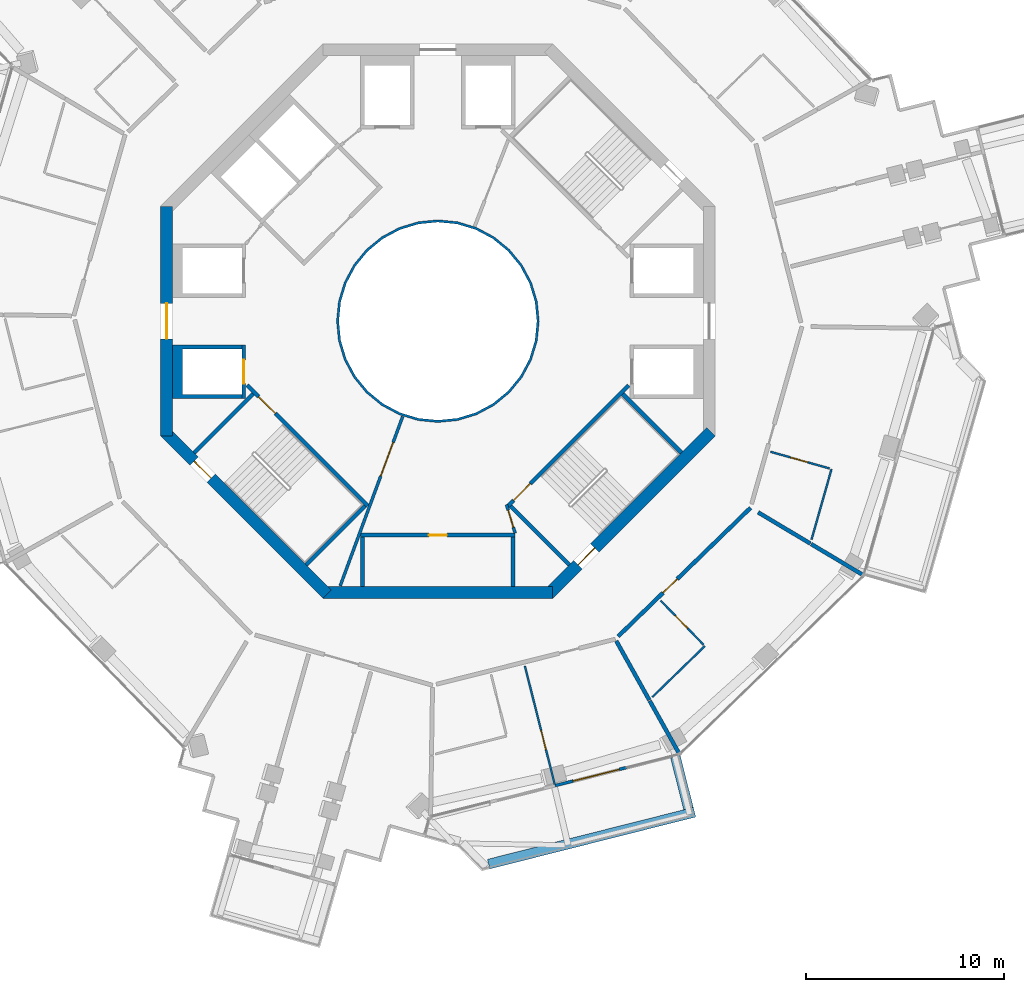
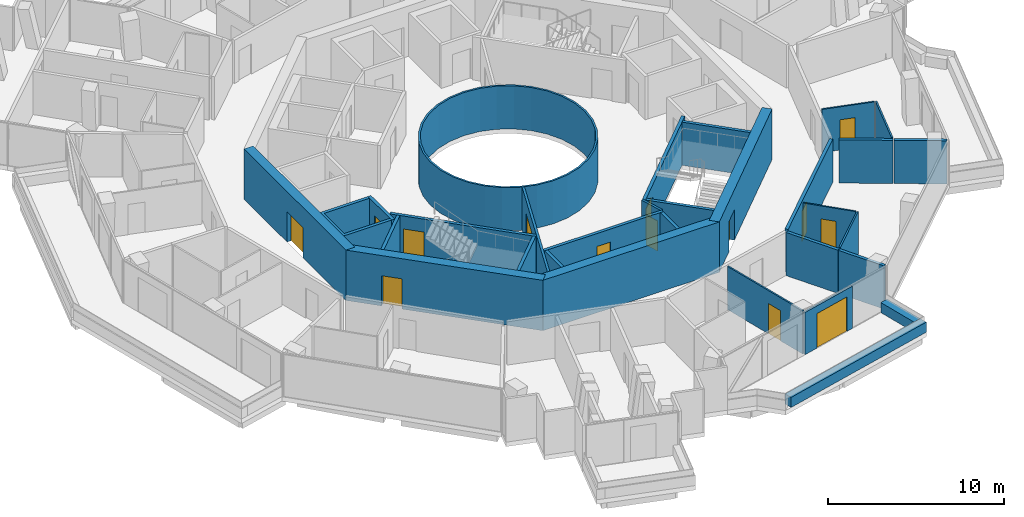
# One storey, part 17 of 24: 31 walls, 14 doors, 14 openings.
"""IFC4 building model written with IfcOpenShell, lengths in metres."""

from ifc_helpers import new_model, si_unit, direction, frame, frame_2d, origin, place, context, subcontext, project, spatial, polyline, rectangle, outline, extrude, material, layer, layer_set, type_object, element, fill, save


model = new_model("IFC4")

# Units and contexts
model_context = context("Model", 3, precision=1e-05, world=origin(), true_north=direction((0.0, 1.0)))
body_context = subcontext(model_context, "Body", "Model", "MODEL_VIEW")
ifc_project = project(units=[si_unit("LENGTHUNIT", "METRE"), si_unit("AREAUNIT", "SQUARE_METRE"), si_unit("VOLUMEUNIT", "CUBIC_METRE"), si_unit("PLANEANGLEUNIT", "RADIAN"), si_unit("MASSUNIT", "GRAM", prefix="KILO")], contexts=[model_context])

# Site, building, storey
site_placement = place(None, origin())
site = spatial("IfcSite", under=ifc_project, at=site_placement, CompositionType="ELEMENT")
building_placement = place(site_placement, origin())
building = spatial("IfcBuilding", under=site, at=building_placement, Name="Verdalira Terraces Hotel", CompositionType="ELEMENT")
storey_placement = place(building_placement, frame((0.0, 0.0, 212.5)))
storey = spatial("IfcBuildingStorey", under=building, at=storey_placement, Name="L52", CompositionType="ELEMENT", Elevation=212.5)

# Walls
ifc_material_1 = material(Name="Fire-resisting glass EI 180", Category="glass")
ifc_layer_1 = layer(ifc_material_1, 0.1201171875)
ifc_layer_set_1 = layer_set([ifc_layer_1], Name="Atrium fire screen 120 mm")
wall_type_1 = type_object("IfcWallType", Name="Atrium fire screen 120 mm", PredefinedType="SOLIDWALL", material=ifc_layer_set_1)
wall_1_placement = place(storey_placement, origin())
element("IfcWall", 1, at=wall_1_placement, inside=storey, type_object=wall_type_1, Name="Atrium fire screen", PredefinedType="SOLIDWALL", context=body_context, shape_type="SweptSolid", body=[
    extrude(outline(polyline([(5.021484, -0.998779), (4.730225, -1.959229), (4.25708, -2.844482), (3.620361, -3.620361), (2.844482, -4.25708), (1.959229, -4.730225), (0.998779, -5.021484), (0.0, -5.120117), (-0.998779, -5.021484), (-1.959229, -4.730225), (-2.844482, -4.25708), (-3.620361, -3.620361), (-4.25708, -2.844482), (-4.730225, -1.959229), (-5.021484, -0.998779), (-5.120117, 0.0), (-5.021484, 0.998779), (-4.730225, 1.959229), (-4.25708, 2.844482), (-3.620361, 3.620361), (-2.844482, 4.25708), (-1.959229, 4.730225), (-0.998779, 5.021484), (0.0, 5.120117), (0.998779, 5.021484), (1.959229, 4.730225), (2.844482, 4.25708), (3.620361, 3.620361), (4.25708, 2.844482), (4.730225, 1.959229), (5.021484, 0.998779), (5.120117, 0.0), (5.021484, -0.998779)]), holes=[polyline([(4.903809, 0.975586), (4.619385, 1.91333), (4.157227, 2.777832), (3.5354, 3.5354), (2.777832, 4.157227), (1.91333, 4.619385), (0.975586, 4.903809), (0.0, 5.0), (-0.975586, 4.903809), (-1.91333, 4.619385), (-2.777832, 4.157227), (-3.5354, 3.5354), (-4.157227, 2.777832), (-4.619385, 1.91333), (-4.903809, 0.975586), (-5.0, 0.0), (-4.903809, -0.975586), (-4.619385, -1.91333), (-4.157227, -2.777832), (-3.5354, -3.5354), (-2.777832, -4.157227), (-1.91333, -4.619385), (-0.975586, -4.903809), (0.0, -5.0), (0.975586, -4.903809), (1.91333, -4.619385), (2.777832, -4.157227), (3.5354, -3.5354), (4.157227, -2.777832), (4.619385, -1.91333), (4.903809, -0.975586), (5.0, 0.0), (4.903809, 0.975586)])]), origin(), (0.0, 0.0, 1.0), 3.0),
])
ifc_material_2 = material(Name="Concrete C40", Category="concrete")
ifc_layer_2 = layer(ifc_material_2, 0.5)
ifc_layer_set_2 = layer_set([ifc_layer_2], Name="Balcony planter trough with tree")
wall_type_2 = type_object("IfcWallType", Name="Balcony planter trough with tree", PredefinedType="SOLIDWALL", material=ifc_layer_set_2)
wall_2_placement = place(storey_placement, frame((2.564697, -27.413818, 0.0), z_axis=(0.0, 0.0, 1.0), x_axis=(0.969616404, 0.244630395, 0.0)))
element("IfcWall", 2, at=wall_2_placement, inside=storey, type_object=wall_type_2, Name="Balcony planter", PredefinedType="SOLIDWALL", context=body_context, shape_type="SweptSolid", body=[
    extrude(rectangle(XDim=10.719482, YDim=0.5, at=frame_2d((5.359863, 0.0))), origin(), (0.0, 0.0, 1.0), 0.699951),
])
wall_3_placement = place(storey_placement, frame((12.655029, -24.610352, 0.0), z_axis=(0.0, 0.0, 1.0), x_axis=(-0.244684701, 0.969602701, 0.0)))
element("IfcWall", 3, at=wall_3_placement, inside=storey, type_object=wall_type_2, Name="Balcony planter", PredefinedType="SOLIDWALL", context=body_context, shape_type="SweptSolid", body=[
    extrude(rectangle(XDim=2.698975, YDim=0.5, at=frame_2d((1.349609, 0.0))), origin(), (0.0, 0.0, 1.0), 0.699951),
])

# Wall, opening, door
ifc_material_3 = material(Name="Moisture-resistant gypsum board partition")
ifc_layer_3 = layer(ifc_material_3, 0.10009765625)
ifc_layer_set_3 = layer_set([ifc_layer_3], Name="Bathroom partition 100 mm")
wall_type_3 = type_object("IfcWallType", Name="Bathroom partition 100 mm", PredefinedType="PARTITIONING", material=ifc_layer_set_3)
wall_4_placement = place(storey_placement, frame((5.897705, -23.375732, 0.0), z_axis=(0.0, 0.0, 1.0), x_axis=(-0.244618035, 0.969619522, 0.0)))
wall_4 = element("IfcWall", 4, at=wall_4_placement, inside=storey, type_object=wall_type_3, Name="Bathroom partition", PredefinedType="PARTITIONING", context=body_context, shape_type="SweptSolid", body=[
    extrude(rectangle(XDim=6.149902, YDim=0.100098, at=frame_2d((3.074951, 0.0))), origin(), (0.0, 0.0, 1.0), 3.0),
])
opening_1_placement = place(wall_4_placement, frame((1.800049, 0.0, 0.0)))
opening_1 = element("IfcOpeningElement", 5, at=opening_1_placement, cuts=wall_4, Name="Opening L52-117", PredefinedType="OPENING", context=body_context, shape_type="SweptSolid", body=[
    extrude(rectangle(XDim=1.0, YDim=2.100098, at=frame_2d((0.5, 1.050049))), frame((0.0, 0.060059, 0.0), z_axis=(0.0, -1.0, 0.0), x_axis=(1.0, 0.0, 0.0)), (0.0, 0.0, 1.0), 0.120117),
])
ifc_material_4 = material(Name="Timber door", Category="wood")
door_type_1 = type_object("IfcDoorType", Name="Suite internal door 1000 x 2100", OperationType="NOTDEFINED", PredefinedType="DOOR", material=ifc_material_4)
door_1_placement = place(opening_1_placement, origin())
door_1 = element("IfcDoor", 6, at=door_1_placement, inside=storey, type_object=door_type_1, Name="Suite internal door 5207", OperationType="SINGLE_SWING_LEFT", OverallHeight=2.10009765625, OverallWidth=1.0, PredefinedType="DOOR", context=body_context, shape_type="SweptSolid", body=[
    extrude(rectangle(XDim=1.0, YDim=2.100098, at=frame_2d((0.5, 1.050049))), frame((0.0, 0.024902, 0.0), z_axis=(0.0, -1.0, 0.0), x_axis=(1.0, 0.0, 0.0)), (0.0, 0.0, 1.0), 0.050049),
])
fill(opening_1, door_1)

# Wall
wall_5_placement = place(storey_placement, frame((13.47876, -16.403809, 0.0), z_axis=(0.0, 0.0, 1.0), x_axis=(-0.71737914, -0.696682976, 0.0)))
element("IfcWall", 7, at=wall_5_placement, inside=storey, type_object=wall_type_3, Name="Bathroom partition", PredefinedType="PARTITIONING", context=body_context, shape_type="SweptSolid", body=[
    extrude(rectangle(XDim=3.704102, YDim=0.100098, at=frame_2d((1.852051, 0.0))), origin(), (0.0, 0.0, 1.0), 3.0),
])

# Wall, opening, door
wall_6_placement = place(storey_placement, frame((13.40918, -16.332275, 0.0), z_axis=(0.0, 0.0, 1.0), x_axis=(-0.696635178, 0.717425556, 0.0)))
wall_6 = element("IfcWall", 8, at=wall_6_placement, inside=storey, type_object=wall_type_3, Name="Bathroom partition", PredefinedType="PARTITIONING", context=body_context, shape_type="SweptSolid", body=[
    extrude(rectangle(XDim=3.100098, YDim=0.100098, at=frame_2d((1.550049, 0.0))), origin(), (0.0, 0.0, 1.0), 3.0),
])
opening_2_placement = place(wall_6_placement, frame((1.149902, 0.0, 0.0)))
opening_2 = element("IfcOpeningElement", 9, at=opening_2_placement, cuts=wall_6, Name="Opening L52-120", PredefinedType="OPENING", context=body_context, shape_type="SweptSolid", body=[
    extrude(rectangle(XDim=0.899902, YDim=2.100098, at=frame_2d((0.449951, 1.050049))), frame((0.0, 0.060059, 0.0), z_axis=(0.0, -1.0, 0.0), x_axis=(1.0, 0.0, 0.0)), (0.0, 0.0, 1.0), 0.120117),
])
ifc_material_5 = material(Name="Timber door", Category="wood")
door_type_2 = type_object("IfcDoorType", Name="Bathroom door 900 x 2100", OperationType="NOTDEFINED", PredefinedType="DOOR", material=ifc_material_5)
door_2_placement = place(opening_2_placement, origin())
door_2 = element("IfcDoor", 10, at=door_2_placement, inside=storey, type_object=door_type_2, Name="Bathroom door 5208", OperationType="SINGLE_SWING_LEFT", OverallHeight=2.10009765625, OverallWidth=0.89990234375, PredefinedType="DOOR", context=body_context, shape_type="SweptSolid", body=[
    extrude(rectangle(XDim=0.899902, YDim=2.100098, at=frame_2d((0.449951, 1.050049))), frame((0.0, 0.024902, 0.0), z_axis=(0.0, -1.0, 0.0), x_axis=(1.0, 0.0, 0.0)), (0.0, 0.0, 1.0), 0.050049),
])
fill(opening_2, door_2)

wall_7_placement = place(storey_placement, frame((19.778809, -7.439453, 0.0), z_axis=(0.0, 0.0, 1.0), x_axis=(-0.96202752, 0.272952471, 0.0)))
wall_7 = element("IfcWall", 11, at=wall_7_placement, inside=storey, type_object=wall_type_3, Name="Bathroom partition", PredefinedType="PARTITIONING", context=body_context, shape_type="SweptSolid", body=[
    extrude(rectangle(XDim=3.100098, YDim=0.100098, at=frame_2d((1.550049, 0.0))), origin(), (0.0, 0.0, 1.0), 3.0),
])
opening_3_placement = place(wall_7_placement, frame((1.149902, 0.0, 0.0)))
opening_3 = element("IfcOpeningElement", 12, at=opening_3_placement, cuts=wall_7, Name="Opening L52-122", PredefinedType="OPENING", context=body_context, shape_type="SweptSolid", body=[
    extrude(rectangle(XDim=0.899902, YDim=2.100098, at=frame_2d((0.449951, 1.050049))), frame((0.0, 0.060059, 0.0), z_axis=(0.0, -1.0, 0.0), x_axis=(1.0, 0.0, 0.0)), (0.0, 0.0, 1.0), 0.120117),
])
door_3_placement = place(opening_3_placement, origin())
door_3 = element("IfcDoor", 13, at=door_3_placement, inside=storey, type_object=door_type_2, Name="Bathroom door 5209", OperationType="SINGLE_SWING_LEFT", OverallHeight=2.10009765625, OverallWidth=0.89990234375, PredefinedType="DOOR", context=body_context, shape_type="SweptSolid", body=[
    extrude(rectangle(XDim=0.899902, YDim=2.100098, at=frame_2d((0.449951, 1.050049))), frame((0.0, 0.024902, 0.0), z_axis=(0.0, -1.0, 0.0), x_axis=(1.0, 0.0, 0.0)), (0.0, 0.0, 1.0), 0.050049),
])
fill(opening_3, door_3)

# Walls
wall_8_placement = place(storey_placement, frame((19.875, -7.466797, 0.0), z_axis=(0.0, 0.0, 1.0), x_axis=(-0.2729534, -0.962027256, 0.0)))
element("IfcWall", 14, at=wall_8_placement, inside=storey, type_object=wall_type_3, Name="Bathroom partition", PredefinedType="PARTITIONING", context=body_context, shape_type="SweptSolid", body=[
    extrude(rectangle(XDim=3.703857, YDim=0.100098, at=frame_2d((1.852051, 0.0))), origin(), (0.0, 0.0, 1.0), 3.0),
])
ifc_material_6 = material(Name="Concrete C50", Category="concrete")
ifc_layer_4 = layer(ifc_material_6, 0.199951171875)
ifc_layer_set_4 = layer_set([ifc_layer_4], Name="Core RC wall 200 C50")
wall_type_4 = type_object("IfcWallType", Name="Core RC wall 200 C50", PredefinedType="SOLIDWALL", material=ifc_layer_set_4)
wall_9_placement = place(storey_placement, origin())
element("IfcWall", 15, at=wall_9_placement, inside=storey, type_object=wall_type_4, Name="L52 shaft wall W2", PredefinedType="SOLIDWALL", context=body_context, shape_type="SweptSolid", body=[
    extrude(outline(polyline([(-13.399902, -3.899902), (-13.399902, -1.199951), (-9.899902, -1.199951), (-9.899902, -1.399902), (-12.899902, -1.399902), (-12.899902, -3.699951), (-9.899902, -3.699951), (-9.899902, -3.899902), (-13.399902, -3.899902)])), origin(), (0.0, 0.0, 1.0), 3.0),
])

# Wall, opening, door
wall_10_placement = place(storey_placement, frame((-9.800049, -1.199951, 0.0), z_axis=(0.0, 0.0, 1.0), x_axis=(0.0, -1.0, 0.0)))
wall_10 = element("IfcWall", 16, at=wall_10_placement, inside=storey, type_object=wall_type_4, Name="L52 shaft front wall W2", PredefinedType="SOLIDWALL", context=body_context, shape_type="SweptSolid", body=[
    extrude(rectangle(XDim=2.699951, YDim=0.199951, at=frame_2d((1.350098, 0.0))), origin(), (0.0, 0.0, 1.0), 3.0),
])
opening_4_placement = place(wall_10_placement, frame((0.75, 0.0, 0.0)))
opening_4 = element("IfcOpeningElement", 17, at=opening_4_placement, cuts=wall_10, Name="Opening LD-L52-807", PredefinedType="OPENING", context=body_context, shape_type="SweptSolid", body=[
    extrude(rectangle(XDim=1.199951, YDim=2.100098, at=frame_2d((0.600098, 1.050049))), frame((0.0, 0.109863, 0.0), z_axis=(0.0, -1.0, 0.0), x_axis=(1.0, 0.0, 0.0)), (0.0, 0.0, 1.0), 0.219971),
])
ifc_material_7 = material(Name="Stainless steel", Category="steel")
door_type_3 = type_object("IfcDoorType", Name="Landing door 1200 x 2100", OperationType="NOTDEFINED", PredefinedType="DOOR", material=ifc_material_7)
door_4_placement = place(opening_4_placement, origin())
door_4 = element("IfcDoor", 18, at=door_4_placement, inside=storey, type_object=door_type_3, Name="Lift landing door HR6 L52", OperationType="DOUBLE_DOOR_SLIDING", OverallHeight=2.10009765625, OverallWidth=1.199951171875, PredefinedType="DOOR", context=body_context, shape_type="SweptSolid", body=[
    extrude(rectangle(XDim=1.199951, YDim=2.100098, at=frame_2d((0.600098, 1.050049))), frame((0.0, 0.024902, 0.0), z_axis=(0.0, -1.0, 0.0), x_axis=(1.0, 0.0, 0.0)), (0.0, 0.0, 1.0), 0.050049),
])
fill(opening_4, door_4)

wall_11_placement = place(storey_placement, frame((-3.899902, -10.800049, 0.0), z_axis=(0.0, 0.0, 1.0), x_axis=(1.0, 0.0, 0.0)))
wall_11 = element("IfcWall", 19, at=wall_11_placement, inside=storey, type_object=wall_type_4, Name="L52 store front wall", PredefinedType="SOLIDWALL", context=body_context, shape_type="SweptSolid", body=[
    extrude(rectangle(XDim=7.799805, YDim=0.199951, at=frame_2d((3.899902, 0.0))), origin(), (0.0, 0.0, 1.0), 3.0),
])
opening_5_placement = place(wall_11_placement, frame((3.449951, 0.0, 0.0)))
opening_5 = element("IfcOpeningElement", 20, at=opening_5_placement, cuts=wall_11, Name="Opening L52-801", PredefinedType="OPENING", context=body_context, shape_type="SweptSolid", body=[
    extrude(rectangle(XDim=0.899902, YDim=2.100098, at=frame_2d((0.449951, 1.050049))), frame((0.0, 0.109863, 0.0), z_axis=(0.0, -1.0, 0.0), x_axis=(1.0, 0.0, 0.0)), (0.0, 0.0, 1.0), 0.219971),
])
ifc_material_8 = material(Name="Steel fire door", Category="steel")
door_type_4 = type_object("IfcDoorType", Name="Core room door 900 x 2100", OperationType="NOTDEFINED", PredefinedType="DOOR", material=ifc_material_8)
door_5_placement = place(opening_5_placement, origin())
door_5 = element("IfcDoor", 21, at=door_5_placement, inside=storey, type_object=door_type_4, Name="Store door L52 SS", OperationType="SINGLE_SWING_LEFT", OverallHeight=2.10009765625, OverallWidth=0.89990234375, PredefinedType="DOOR", context=body_context, shape_type="SweptSolid", body=[
    extrude(rectangle(XDim=0.899902, YDim=2.100098, at=frame_2d((0.449951, 1.050049))), frame((0.0, 0.024902, 0.0), z_axis=(0.0, -1.0, 0.0), x_axis=(1.0, 0.0, 0.0)), (0.0, 0.0, 1.0), 0.050049),
])
fill(opening_5, door_5)

# Walls
for number, where, z_axis, x_axis, name in (
    (22, (-3.800049, -10.899902, 0.0), (0.0, 0.0, 1.0), (0.0, -1.0, 0.0), "L52 store side wall"),
    (23, (3.800049, -10.899902, 0.0), (0.0, 0.0, 1.0), (0.0, -1.0, 0.0), "L52 store side wall"),
):
    element("IfcWall", number, at=place(storey_placement, frame(where, z_axis=z_axis, x_axis=x_axis)), inside=storey, type_object=wall_type_4, Name=name, PredefinedType="SOLIDWALL", context=body_context, shape_type="SweptSolid", body=[
        extrude(rectangle(XDim=2.5, YDim=0.199951, at=frame_2d((1.25, 0.0))), origin(), (0.0, 0.0, 1.0), 3.0),
    ])

# Wall, opening, door
wall_12_placement = place(storey_placement, frame((-3.5354, -9.33374, 0.0), z_axis=(0.0, 0.0, 1.0), x_axis=(-0.707120946, 0.707092617, 0.0)))
wall_12 = element("IfcWall", 24, at=wall_12_placement, inside=storey, type_object=wall_type_4, Name="L52 stair ST2 front wall", PredefinedType="SOLIDWALL", context=body_context, shape_type="SweptSolid", body=[
    extrude(rectangle(XDim=8.61792, YDim=0.199951, at=frame_2d((4.309082, 0.0))), origin(), (0.0, 0.0, 1.0), 3.0),
])
opening_6_placement = place(wall_12_placement, frame((6.600098, 0.0, 0.0)))
opening_6 = element("IfcOpeningElement", 25, at=opening_6_placement, cuts=wall_12, Name="Opening L52-811", PredefinedType="OPENING", context=body_context, shape_type="SweptSolid", body=[
    extrude(rectangle(XDim=1.199951, YDim=2.100098, at=frame_2d((0.600098, 1.050049))), frame((0.0, 0.109863, 0.0), z_axis=(0.0, -1.0, 0.0), x_axis=(1.0, 0.0, 0.0)), (0.0, 0.0, 1.0), 0.219971),
])
ifc_material_9 = material(Name="Steel fire door", Category="steel")
door_type_5 = type_object("IfcDoorType", Name="Stair door 1200 x 2100", OperationType="NOTDEFINED", PredefinedType="DOOR", material=ifc_material_9)
door_6_placement = place(opening_6_placement, origin())
door_6 = element("IfcDoor", 26, at=door_6_placement, inside=storey, type_object=door_type_5, Name="Stair door ST2 L52", OperationType="SINGLE_SWING_RIGHT", OverallHeight=2.10009765625, OverallWidth=1.199951171875, PredefinedType="DOOR", context=body_context, shape_type="SweptSolid", body=[
    extrude(rectangle(XDim=1.199951, YDim=2.100098, at=frame_2d((0.600098, 1.050049))), frame((0.0, 0.024902, 0.0), z_axis=(0.0, -1.0, 0.0), x_axis=(1.0, 0.0, 0.0)), (0.0, 0.0, 1.0), 0.050049),
])
fill(opening_6, door_6)

# Walls
for number, where, z_axis, x_axis, name in (
    (27, (-9.33374, -3.677002, 0.0), (0.0, 0.0, 1.0), (-0.707135845, -0.707077716, 0.0), "L52 stair ST2 end wall 1"),
    (28, (-3.677002, -9.33374, 0.0), (0.0, 0.0, 1.0), (-0.707077716, -0.707135845, 0.0), "L52 stair ST2 end wall 2"),
):
    element("IfcWall", number, at=place(storey_placement, frame(where, z_axis=z_axis, x_axis=x_axis)), inside=storey, type_object=wall_type_4, Name=name, PredefinedType="SOLIDWALL", context=body_context, shape_type="SweptSolid", body=[
        extrude(rectangle(XDim=4.199951, YDim=0.199951, at=frame_2d((2.100098, 0.0))), origin(), (0.0, 0.0, 1.0), 3.0),
    ])

# Wall, opening, door
wall_13_placement = place(storey_placement, frame((9.629395, -3.23999, 0.0), z_axis=(0.0, 0.0, 1.0), x_axis=(-0.707120946, -0.707092617, 0.0)))
wall_13 = element("IfcWall", 29, at=wall_13_placement, inside=storey, type_object=wall_type_4, Name="L52 stair ST3 front wall", PredefinedType="SOLIDWALL", context=body_context, shape_type="SweptSolid", body=[
    extrude(rectangle(XDim=8.61792, YDim=0.199951, at=frame_2d((4.309082, 0.0))), origin(), (0.0, 0.0, 1.0), 3.0),
])
opening_7_placement = place(wall_13_placement, frame((7.017822, 0.0, 0.0)))
opening_7 = element("IfcOpeningElement", 30, at=opening_7_placement, cuts=wall_13, Name="Opening L52-812", PredefinedType="OPENING", context=body_context, shape_type="SweptSolid", body=[
    extrude(rectangle(XDim=1.199951, YDim=2.100098, at=frame_2d((0.600098, 1.050049))), frame((0.0, 0.109863, 0.0), z_axis=(0.0, -1.0, 0.0), x_axis=(1.0, 0.0, 0.0)), (0.0, 0.0, 1.0), 0.219971),
])
door_7_placement = place(opening_7_placement, origin())
door_7 = element("IfcDoor", 31, at=door_7_placement, inside=storey, type_object=door_type_5, Name="Stair door ST3 L52", OperationType="SINGLE_SWING_RIGHT", OverallHeight=2.10009765625, OverallWidth=1.199951171875, PredefinedType="DOOR", context=body_context, shape_type="SweptSolid", body=[
    extrude(rectangle(XDim=1.199951, YDim=2.100098, at=frame_2d((0.600098, 1.050049))), frame((0.0, 0.024902, 0.0), z_axis=(0.0, -1.0, 0.0), x_axis=(1.0, 0.0, 0.0)), (0.0, 0.0, 1.0), 0.050049),
])
fill(opening_7, door_7)

# Walls
for number, where, z_axis, x_axis, name in (
    (32, (3.677002, -9.33374, 0.0), (0.0, 0.0, 1.0), (0.707077716, -0.707135845, 0.0), "L52 stair ST3 end wall 1"),
    (33, (9.33374, -3.677002, 0.0), (0.0, 0.0, 1.0), (0.707135845, -0.707077716, 0.0), "L52 stair ST3 end wall 2"),
):
    element("IfcWall", number, at=place(storey_placement, frame(where, z_axis=z_axis, x_axis=x_axis)), inside=storey, type_object=wall_type_4, Name=name, PredefinedType="SOLIDWALL", context=body_context, shape_type="SweptSolid", body=[
        extrude(rectangle(XDim=4.199951, YDim=0.199951, at=frame_2d((2.100098, 0.0))), origin(), (0.0, 0.0, 1.0), 3.0),
    ])

# Wall, opening, door
ifc_material_10 = material(Name="Gypsum board partition")
ifc_layer_5 = layer(ifc_material_10, 0.14990234375)
ifc_layer_set_5 = layer_set([ifc_layer_5], Name="Core partition 150 mm")
wall_type_5 = type_object("IfcWallType", Name="Core partition 150 mm", PredefinedType="PARTITIONING", material=ifc_layer_set_5)
wall_14_placement = place(storey_placement, frame((3.899902, -10.699951, 0.0), z_axis=(0.0, 0.0, 1.0), x_axis=(-0.289808785, 0.957084567, 0.0)))
wall_14 = element("IfcWall", 34, at=wall_14_placement, inside=storey, type_object=wall_type_5, Name="Room partition L52", PredefinedType="PARTITIONING", context=body_context, shape_type="SweptSolid", body=[
    extrude(rectangle(XDim=1.501221, YDim=0.149902, at=frame_2d((0.750488, 0.0))), origin(), (0.0, 0.0, 1.0), 3.0),
])
opening_8_placement = place(wall_14_placement, frame((0.300781, 0.0, 0.0)))
opening_8 = element("IfcOpeningElement", 35, at=opening_8_placement, cuts=wall_14, Name="Opening L52-822", PredefinedType="OPENING", context=body_context, shape_type="SweptSolid", body=[
    extrude(rectangle(XDim=0.899902, YDim=2.100098, at=frame_2d((0.449951, 1.050049))), frame((0.0, 0.084961, 0.0), z_axis=(0.0, -1.0, 0.0), x_axis=(1.0, 0.0, 0.0)), (0.0, 0.0, 1.0), 0.169922),
])
door_8_placement = place(opening_8_placement, origin())
door_8 = element("IfcDoor", 36, at=door_8_placement, inside=storey, type_object=door_type_4, Name="Door L52 room6", OperationType="SINGLE_SWING_LEFT", OverallHeight=2.10009765625, OverallWidth=0.89990234375, PredefinedType="DOOR", context=body_context, shape_type="SweptSolid", body=[
    extrude(rectangle(XDim=0.899902, YDim=2.100098, at=frame_2d((0.449951, 1.050049))), frame((0.0, 0.024902, 0.0), z_axis=(0.0, -1.0, 0.0), x_axis=(1.0, 0.0, 0.0)), (0.0, 0.0, 1.0), 0.050049),
])
fill(opening_8, door_8)

wall_15_placement = place(storey_placement, frame((-1.775635, -4.812988, 0.0), z_axis=(0.0, 0.0, 1.0), x_axis=(-0.346112108, -0.938193162, 0.0)))
wall_15 = element("IfcWall", 37, at=wall_15_placement, inside=storey, type_object=wall_type_5, Name="Gallery fire partition L52", PredefinedType="PARTITIONING", context=body_context, shape_type="SweptSolid", body=[
    extrude(rectangle(XDim=9.122803, YDim=0.149902, at=frame_2d((4.561523, 0.0))), origin(), (0.0, 0.0, 1.0), 3.0),
])
opening_9_placement = place(wall_15_placement, frame((1.399902, 0.0, 0.0)))
opening_9 = element("IfcOpeningElement", 38, at=opening_9_placement, cuts=wall_15, Name="Opening L52-824", PredefinedType="OPENING", context=body_context, shape_type="SweptSolid", body=[
    extrude(rectangle(XDim=1.800049, YDim=2.100098, at=frame_2d((0.899902, 1.050049))), frame((0.0, 0.084961, 0.0), z_axis=(0.0, -1.0, 0.0), x_axis=(1.0, 0.0, 0.0)), (0.0, 0.0, 1.0), 0.169922),
])
ifc_material_11 = material(Name="Steel fire door", Category="steel")
door_type_6 = type_object("IfcDoorType", Name="Gallery fire door pair 1800 x 2100", OperationType="NOTDEFINED", PredefinedType="DOOR", material=ifc_material_11)
door_9_placement = place(opening_9_placement, origin())
door_9 = element("IfcDoor", 39, at=door_9_placement, inside=storey, type_object=door_type_6, Name="Door L52 split5", OperationType="DOUBLE_DOOR_SINGLE_SWING", OverallHeight=2.10009765625, OverallWidth=1.800048828125, PredefinedType="DOOR", context=body_context, shape_type="SweptSolid", body=[
    extrude(rectangle(XDim=1.800049, YDim=2.100098, at=frame_2d((0.899902, 1.050049))), frame((0.0, 0.024902, 0.0), z_axis=(0.0, -1.0, 0.0), x_axis=(1.0, 0.0, 0.0)), (0.0, 0.0, 1.0), 0.050049),
])
fill(opening_9, door_9)

ifc_material_12 = material(Name="Concrete C60", Category="concrete")
ifc_layer_6 = layer(ifc_material_12, 0.60009765625)
ifc_layer_set_6 = layer_set([ifc_layer_6], Name="Core wall 600 C60")
wall_type_6 = type_object("IfcWallType", Name="Core wall 600 C60", PredefinedType="SHEAR", material=ifc_layer_set_6)
wall_16_placement = place(storey_placement, frame((-13.699951, 5.799072, 0.0), z_axis=(0.0, 0.0, 1.0), x_axis=(0.0, -1.0, 0.0)))
wall_16 = element("IfcWall", 40, at=wall_16_placement, inside=storey, type_object=wall_type_6, Name="Core wall CW-L52-5", PredefinedType="SHEAR", context=body_context, shape_type="SweptSolid", body=[
    extrude(rectangle(XDim=11.598145, YDim=0.600098, at=frame_2d((5.799072, 0.0))), origin(), (0.0, 0.0, 1.0), 3.5),
])
opening_10_placement = place(wall_16_placement, frame((4.898926, 0.0, 0.0)))
opening_10 = element("IfcOpeningElement", 41, at=opening_10_placement, cuts=wall_16, Name="Opening L52-815", PredefinedType="OPENING", context=body_context, shape_type="SweptSolid", body=[
    extrude(rectangle(XDim=1.800049, YDim=2.100098, at=frame_2d((0.899902, 1.050049))), frame((0.0, 0.310059, 0.0), z_axis=(0.0, -1.0, 0.0), x_axis=(1.0, 0.0, 0.0)), (0.0, 0.0, 1.0), 0.620117),
])
ifc_material_13 = material(Name="Steel fire door", Category="steel")
door_type_7 = type_object("IfcDoorType", Name="Core entry door pair 1800 x 2100", OperationType="NOTDEFINED", PredefinedType="DOOR", material=ifc_material_13)
door_10_placement = place(opening_10_placement, origin())
door_10 = element("IfcDoor", 42, at=door_10_placement, inside=storey, type_object=door_type_7, Name="Core entry door L52 4", OperationType="DOUBLE_DOOR_SINGLE_SWING", OverallHeight=2.10009765625, OverallWidth=1.800048828125, PredefinedType="DOOR", context=body_context, shape_type="SweptSolid", body=[
    extrude(rectangle(XDim=1.800049, YDim=2.100098, at=frame_2d((0.899902, 1.050049))), frame((0.0, 0.024902, 0.0), z_axis=(0.0, -1.0, 0.0), x_axis=(1.0, 0.0, 0.0)), (0.0, 0.0, 1.0), 0.050049),
])
fill(opening_10, door_10)

wall_17_placement = place(storey_placement, frame((-13.787842, -5.586914, 0.0), z_axis=(0.0, 0.0, 1.0), x_axis=(0.707106781, -0.707106781, 0.0)))
wall_17 = element("IfcWall", 43, at=wall_17_placement, inside=storey, type_object=wall_type_6, Name="Core wall CW-L52-6", PredefinedType="SHEAR", context=body_context, shape_type="SweptSolid", body=[
    extrude(rectangle(XDim=11.5979, YDim=0.600098, at=frame_2d((5.798828, 0.0))), origin(), (0.0, 0.0, 1.0), 3.5),
])
opening_11_placement = place(wall_17_placement, frame((2.099121, 0.0, 0.0)))
opening_11 = element("IfcOpeningElement", 44, at=opening_11_placement, cuts=wall_17, Name="Opening L52-817", PredefinedType="OPENING", context=body_context, shape_type="SweptSolid", body=[
    extrude(rectangle(XDim=1.199951, YDim=2.100098, at=frame_2d((0.600098, 1.050049))), frame((0.0, 0.310059, 0.0), z_axis=(0.0, -1.0, 0.0), x_axis=(1.0, 0.0, 0.0)), (0.0, 0.0, 1.0), 0.620117),
])
door_11_placement = place(opening_11_placement, origin())
door_11 = element("IfcDoor", 45, at=door_11_placement, inside=storey, type_object=door_type_5, Name="Stair exit door ST2 L52", OperationType="SINGLE_SWING_LEFT", OverallHeight=2.10009765625, OverallWidth=1.199951171875, PredefinedType="DOOR", context=body_context, shape_type="SweptSolid", body=[
    extrude(rectangle(XDim=1.199951, YDim=2.100098, at=frame_2d((0.600098, 1.050049))), frame((0.0, 0.024902, 0.0), z_axis=(0.0, -1.0, 0.0), x_axis=(1.0, 0.0, 0.0)), (0.0, 0.0, 1.0), 0.050049),
])
fill(opening_11, door_11)

# Wall
wall_18_placement = place(storey_placement, frame((-5.799072, -13.699951, 0.0), z_axis=(0.0, 0.0, 1.0), x_axis=(1.0, 0.0, 0.0)))
element("IfcWall", 46, at=wall_18_placement, inside=storey, type_object=wall_type_6, Name="Core wall CW-L52-7", PredefinedType="SHEAR", context=body_context, shape_type="SweptSolid", body=[
    extrude(rectangle(XDim=11.598145, YDim=0.600098, at=frame_2d((5.799072, 0.0))), origin(), (0.0, 0.0, 1.0), 3.5),
])

# Wall, opening, door
wall_19_placement = place(storey_placement, frame((5.586914, -13.787842, 0.0), z_axis=(0.0, 0.0, 1.0), x_axis=(0.707106781, 0.707106781, 0.0)))
wall_19 = element("IfcWall", 47, at=wall_19_placement, inside=storey, type_object=wall_type_6, Name="Core wall CW-L52-8", PredefinedType="SHEAR", context=body_context, shape_type="SweptSolid", body=[
    extrude(rectangle(XDim=11.5979, YDim=0.600098, at=frame_2d((5.798828, 0.0))), origin(), (0.0, 0.0, 1.0), 3.5),
])
opening_12_placement = place(wall_19_placement, frame((2.099121, 0.0, 0.0)))
opening_12 = element("IfcOpeningElement", 48, at=opening_12_placement, cuts=wall_19, Name="Opening L52-818", PredefinedType="OPENING", context=body_context, shape_type="SweptSolid", body=[
    extrude(rectangle(XDim=1.199951, YDim=2.100098, at=frame_2d((0.600098, 1.050049))), frame((0.0, 0.310059, 0.0), z_axis=(0.0, -1.0, 0.0), x_axis=(1.0, 0.0, 0.0)), (0.0, 0.0, 1.0), 0.620117),
])
door_12_placement = place(opening_12_placement, origin())
door_12 = element("IfcDoor", 49, at=door_12_placement, inside=storey, type_object=door_type_5, Name="Stair exit door ST3 L52", OperationType="SINGLE_SWING_LEFT", OverallHeight=2.10009765625, OverallWidth=1.199951171875, PredefinedType="DOOR", context=body_context, shape_type="SweptSolid", body=[
    extrude(rectangle(XDim=1.199951, YDim=2.100098, at=frame_2d((0.600098, 1.050049))), frame((0.0, 0.024902, 0.0), z_axis=(0.0, -1.0, 0.0), x_axis=(1.0, 0.0, 0.0)), (0.0, 0.0, 1.0), 0.050049),
])
fill(opening_12, door_12)

# Walls
ifc_material_14 = material(Name="Fire-rated gypsum board wall")
ifc_layer_7 = layer(ifc_material_14, 0.199951171875)
ifc_layer_set_7 = layer_set([ifc_layer_7], Name="Demising wall 200 mm")
wall_type_7 = type_object("IfcWallType", Name="Demising wall 200 mm", PredefinedType="SOLIDWALL", material=ifc_layer_set_7)
wall_20_placement = place(storey_placement, frame((9.008301, -16.14502, 0.0), z_axis=(0.0, 0.0, 1.0), x_axis=(0.487261051, -0.873256359, 0.0)))
element("IfcWall", 50, at=wall_20_placement, inside=storey, type_object=wall_type_7, Name="Demising wall", PredefinedType="SOLIDWALL", context=body_context, shape_type="SweptSolid", body=[
    extrude(rectangle(XDim=3.418701, YDim=0.199951, at=frame_2d((1.709473, 0.0))), origin(), (0.0, 0.0, 1.0), 3.0),
])
wall_21_placement = place(storey_placement, frame((10.696289, -19.17041, 0.0), z_axis=(0.0, 0.0, 1.0), x_axis=(0.487287097, -0.873241825, 0.0)))
element("IfcWall", 51, at=wall_21_placement, inside=storey, type_object=wall_type_7, Name="Demising wall", PredefinedType="SOLIDWALL", context=body_context, shape_type="SweptSolid", body=[
    extrude(rectangle(XDim=3.011719, YDim=0.199951, at=frame_2d((1.505859, 0.0))), origin(), (0.0, 0.0, 1.0), 3.0),
])
wall_22_placement = place(storey_placement, frame((16.169189, -9.654053, 0.0), z_axis=(0.0, 0.0, 1.0), x_axis=(0.858604919, -0.512637877, 0.0)))
element("IfcWall", 52, at=wall_22_placement, inside=storey, type_object=wall_type_7, Name="Demising wall", PredefinedType="SOLIDWALL", context=body_context, shape_type="SweptSolid", body=[
    extrude(rectangle(XDim=3.074707, YDim=0.199951, at=frame_2d((1.537354, 0.0))), origin(), (0.0, 0.0, 1.0), 3.0),
])
wall_23_placement = place(storey_placement, frame((18.848633, -11.253906, 0.0), z_axis=(0.0, 0.0, 1.0), x_axis=(0.858599774, -0.512646494, 0.0)))
element("IfcWall", 53, at=wall_23_placement, inside=storey, type_object=wall_type_7, Name="Demising wall", PredefinedType="SOLIDWALL", context=body_context, shape_type="SweptSolid", body=[
    extrude(rectangle(XDim=3.01123, YDim=0.199951, at=frame_2d((1.505615, 0.0))), origin(), (0.0, 0.0, 1.0), 3.0),
])

# Wall, opening, door
ifc_material_15 = material(Name="Fire-rated gypsum board wall")
ifc_layer_8 = layer(ifc_material_15, 0.199951171875)
ifc_layer_set_8 = layer_set([ifc_layer_8], Name="Guest corridor wall 200 mm")
wall_type_8 = type_object("IfcWallType", Name="Guest corridor wall 200 mm", PredefinedType="SOLIDWALL", material=ifc_layer_set_8)
wall_24_placement = place(storey_placement, frame((15.785156, -9.424805, 0.0), z_axis=(0.0, 0.0, 1.0), x_axis=(-0.717395, -0.696666645, 0.0)))
wall_24 = element("IfcWall", 54, at=wall_24_placement, inside=storey, type_object=wall_type_8, Name="Guest corridor wall", PredefinedType="SOLIDWALL", context=body_context, shape_type="SweptSolid", body=[
    extrude(rectangle(XDim=9.316406, YDim=0.199951, at=frame_2d((4.658203, 0.0))), origin(), (0.0, 0.0, 1.0), 3.0),
])
opening_13_placement = place(wall_24_placement, frame((5.149902, 0.0, 0.0)))
opening_13 = element("IfcOpeningElement", 55, at=opening_13_placement, cuts=wall_24, Name="Opening L52-119", PredefinedType="OPENING", context=body_context, shape_type="SweptSolid", body=[
    extrude(rectangle(XDim=1.0, YDim=2.100098, at=frame_2d((0.5, 1.050049))), frame((0.0, 0.109863, 0.0), z_axis=(0.0, -1.0, 0.0), x_axis=(1.0, 0.0, 0.0)), (0.0, 0.0, 1.0), 0.219971),
])
ifc_material_16 = material(Name="Timber fire door", Category="wood")
door_type_8 = type_object("IfcDoorType", Name="Guest entry door 1000 x 2100", OperationType="NOTDEFINED", PredefinedType="DOOR", material=ifc_material_16)
door_13_placement = place(opening_13_placement, origin())
door_13 = element("IfcDoor", 56, at=door_13_placement, inside=storey, type_object=door_type_8, Name="Guest entry door 5208", OperationType="SINGLE_SWING_LEFT", OverallHeight=2.10009765625, OverallWidth=1.0, PredefinedType="DOOR", context=body_context, shape_type="SweptSolid", body=[
    extrude(rectangle(XDim=1.0, YDim=2.100098, at=frame_2d((0.5, 1.050049))), frame((0.0, 0.024902, 0.0), z_axis=(0.0, -1.0, 0.0), x_axis=(1.0, 0.0, 0.0)), (0.0, 0.0, 1.0), 0.050049),
])
fill(opening_13, door_13)

ifc_material_17 = material(Name="Terracotta cladding", Category="masonry")
ifc_layer_9 = layer(ifc_material_17, 0.14990234375)
ifc_layer_set_9 = layer_set([ifc_layer_9], Name="Terracotta door pier 150")
wall_type_9 = type_object("IfcWallType", Name="Terracotta door pier 150", PredefinedType="SOLIDWALL", material=ifc_layer_set_9)
wall_25_placement = place(storey_placement, frame((5.916016, -23.448486, 0.0), z_axis=(0.0, 0.0, 1.0), x_axis=(0.969617968, 0.244624194, 0.0)))
wall_25 = element("IfcWall", 57, at=wall_25_placement, inside=storey, type_object=wall_type_9, Name="Terracotta door pier", PredefinedType="SOLIDWALL", context=body_context, shape_type="SweptSolid", body=[
    extrude(rectangle(XDim=3.739502, YDim=0.149902, at=frame_2d((1.869629, 0.0))), origin(), (0.0, 0.0, 1.0), 2.935059),
])
opening_14_placement = place(wall_25_placement, frame((0.939697, 0.0, 0.0)))
opening_14 = element("IfcOpeningElement", 58, at=opening_14_placement, cuts=wall_25, Name="Opening L52-B07", PredefinedType="OPENING", context=body_context, shape_type="SweptSolid", body=[
    extrude(rectangle(XDim=2.399902, YDim=2.399902, at=frame_2d((1.199951, 1.199951))), frame((0.0, 0.084961, 0.0), z_axis=(0.0, -1.0, 0.0), x_axis=(1.0, 0.0, 0.0)), (0.0, 0.0, 1.0), 0.169922),
])
ifc_material_18 = material(Name="Clear glass", Category="glass")
door_type_9 = type_object("IfcDoorType", Name="Balcony sliding door 2400x2400", OperationType="NOTDEFINED", PredefinedType="DOOR", material=ifc_material_18)
door_14_placement = place(opening_14_placement, origin())
door_14 = element("IfcDoor", 59, at=door_14_placement, inside=storey, type_object=door_type_9, Name="Balcony sliding door", OperationType="SLIDING_TO_LEFT", OverallHeight=2.39990234375, OverallWidth=2.39990234375, PredefinedType="DOOR", context=body_context, shape_type="SweptSolid", body=[
    extrude(rectangle(XDim=2.399902, YDim=2.399902, at=frame_2d((1.199951, 1.199951))), frame((0.0, 0.024902, 0.0), z_axis=(0.0, -1.0, 0.0), x_axis=(1.0, 0.0, 0.0)), (0.0, 0.0, 1.0), 0.050049),
])
fill(opening_14, door_14)

save(model, "model.ifc")
